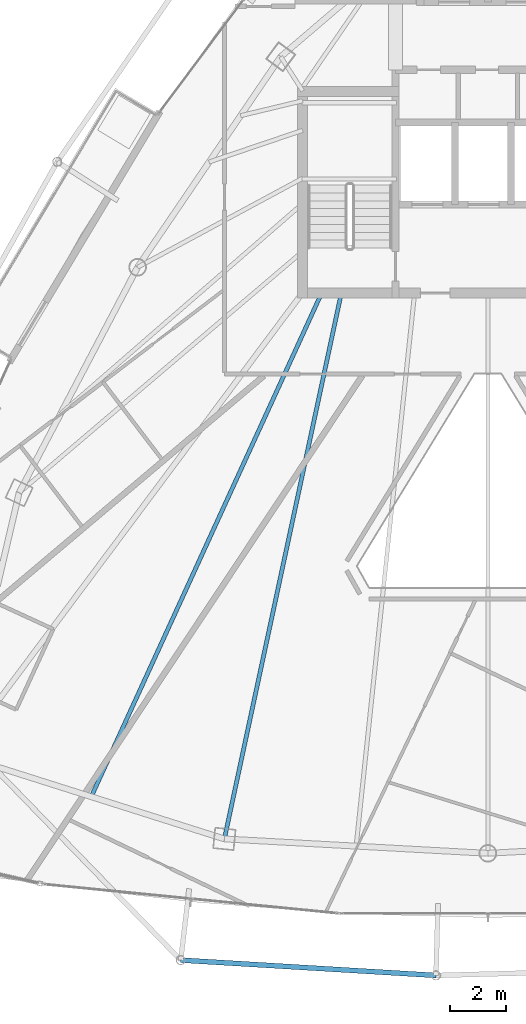
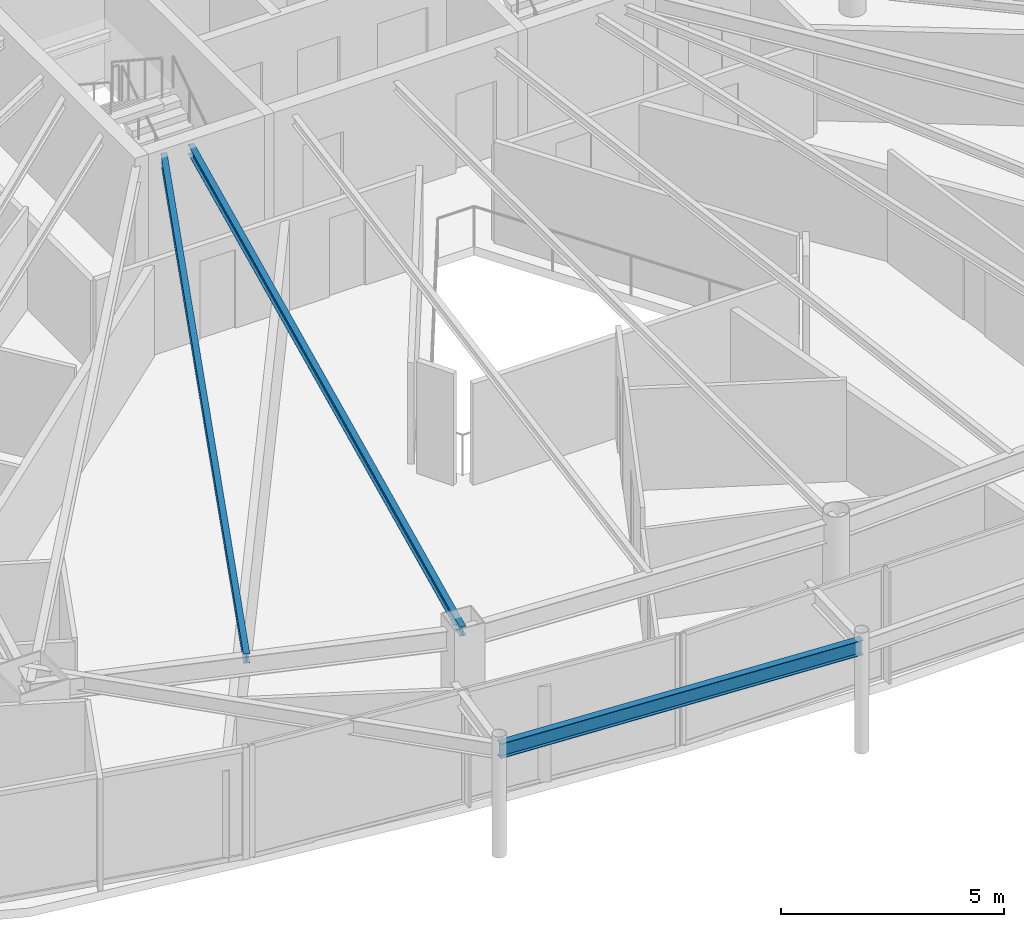
# One storey, part 7 of 33: 3 beams.
"""IFC4 building model written with IfcOpenShell, lengths in metres."""

from ifc_helpers import new_model, si_unit, direction, frame, origin, origin_2d, place, context, subcontext, project, spatial, i_section, extrude, material, material_profile, profile_set, type_object, element, save


model = new_model("IFC4")

# Units and contexts
model_context = context("Model", 3, precision=1e-05, world=origin(), true_north=direction((0.0, 1.0)))
body_context = subcontext(model_context, "Body", "Model", "MODEL_VIEW")
ifc_project = project(units=[si_unit("LENGTHUNIT", "METRE"), si_unit("AREAUNIT", "SQUARE_METRE"), si_unit("VOLUMEUNIT", "CUBIC_METRE"), si_unit("PLANEANGLEUNIT", "RADIAN"), si_unit("MASSUNIT", "GRAM", prefix="KILO")], contexts=[model_context])

# Site, building, storey
site_placement = place(None, origin())
site = spatial("IfcSite", under=ifc_project, at=site_placement, CompositionType="ELEMENT")
building_placement = place(site_placement, origin())
building = spatial("IfcBuilding", under=site, at=building_placement, Name="Orvanel Arch Residences", CompositionType="ELEMENT")
storey_placement = place(building_placement, frame((0.0, 0.0, 209.60009765625)))
storey = spatial("IfcBuildingStorey", under=building, at=storey_placement, Name="L59", CompositionType="ELEMENT", Elevation=209.60009765625)

# Beams
ifc_material = material(Name="Structural steel AS/NZS 3679.1 Grade 300 (300 MPa)", Category="steel")
ifc_material_profile_1 = material_profile(ifc_material, i_section(OverallWidth=0.14599609375, OverallDepth=0.251953125, WebThickness=0.006103515625, FlangeThickness=0.008544921875, at=origin_2d()), Name="250UB31.4")
ifc_profile_set_1 = profile_set([ifc_material_profile_1], Name="Structural steel AS/NZS 3679.1 Grade 300 (300 MPa)")
beam_type_1 = type_object("IfcBeamType", Name="BJ-250UB", PredefinedType="JOIST", material=ifc_profile_set_1)
beam_1_placement = place(storey_placement, frame((27.800048828125, 26.72509765625, 2.933837890625), z_axis=(-0.209547604985, -0.977798446125, 0.0), x_axis=(0.977798446125, -0.209547604985, 0.0)))
element("IfcBeam", 1, at=beam_1_placement, inside=storey, type_object=beam_type_1, Name="L59 SW Wing Floor Joist", PredefinedType="JOIST", context=body_context, shape_type="SweptSolid", body=[
    extrude(i_section(OverallWidth=0.14599609375, OverallDepth=0.251953125, WebThickness=0.006103515625, FlangeThickness=0.008544921875, at=origin_2d()), origin(), (0.0, 0.0, 1.0), 19.809814453125),
])
beam_2_placement = place(storey_placement, frame((27.10009765625, 26.72509765625, 2.933837890625), z_axis=(-0.416009574066, -0.909360233508, 0.0), x_axis=(0.909360233508, -0.416009574066, 0.0)))
element("IfcBeam", 2, at=beam_2_placement, inside=storey, type_object=beam_type_1, Name="L59 JADD1 Wing Floor Joist", PredefinedType="JOIST", context=body_context, shape_type="SweptSolid", body=[
    extrude(i_section(OverallWidth=0.14599609375, OverallDepth=0.251953125, WebThickness=0.006103515625, FlangeThickness=0.008544921875, at=origin_2d()), origin(), (0.0, 0.0, 1.0), 19.653564453125),
])
ifc_material_profile_2 = material_profile(ifc_material, i_section(OverallWidth=0.177978515625, OverallDepth=0.406005859375, WebThickness=0.0078125, FlangeThickness=0.0126953125, at=origin_2d()), Name="410UB59.7")
ifc_profile_set_2 = profile_set([ifc_material_profile_2], Name="Structural steel AS/NZS 3679.1 Grade 300 (300 MPa)")
beam_type_2 = type_object("IfcBeamType", Name="OB-410UB-EXT", PredefinedType="SPANDREL", material=ifc_profile_set_2)
beam_3_placement = place(storey_placement, frame((22.10009765625, 3.053955078125, 2.85693359375), z_axis=(0.998208157486, -0.05983706483, 0.0), x_axis=(0.05983706483, 0.998208157486, 0.0)))
element("IfcBeam", 3, at=beam_3_placement, inside=storey, type_object=beam_type_2, Name="L59 Outer Perimeter Floor Ring Beam 05", PredefinedType="SPANDREL", context=body_context, shape_type="SweptSolid", body=[
    extrude(i_section(OverallWidth=0.177978515625, OverallDepth=0.406005859375, WebThickness=0.0078125, FlangeThickness=0.0126953125, at=origin_2d()), origin(), (0.0, 0.0, 1.0), 9.07421875),
])

save(model, "model.ifc")
